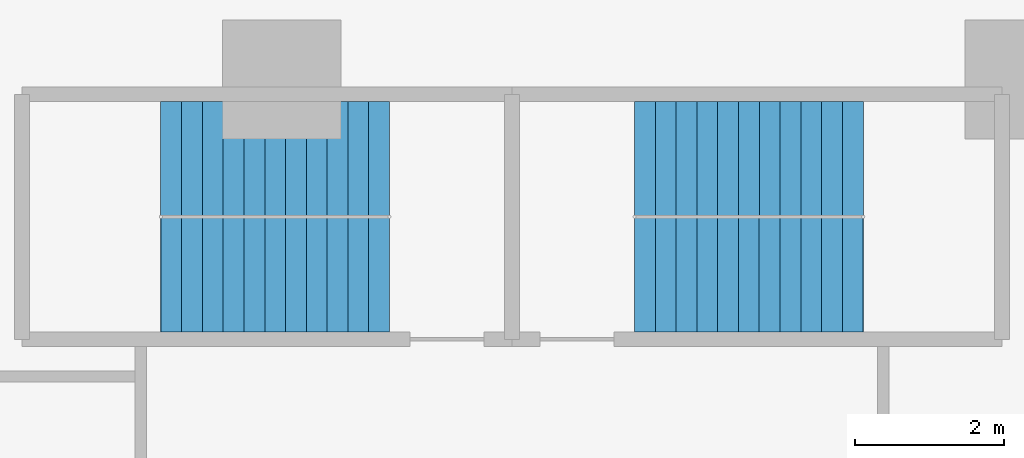
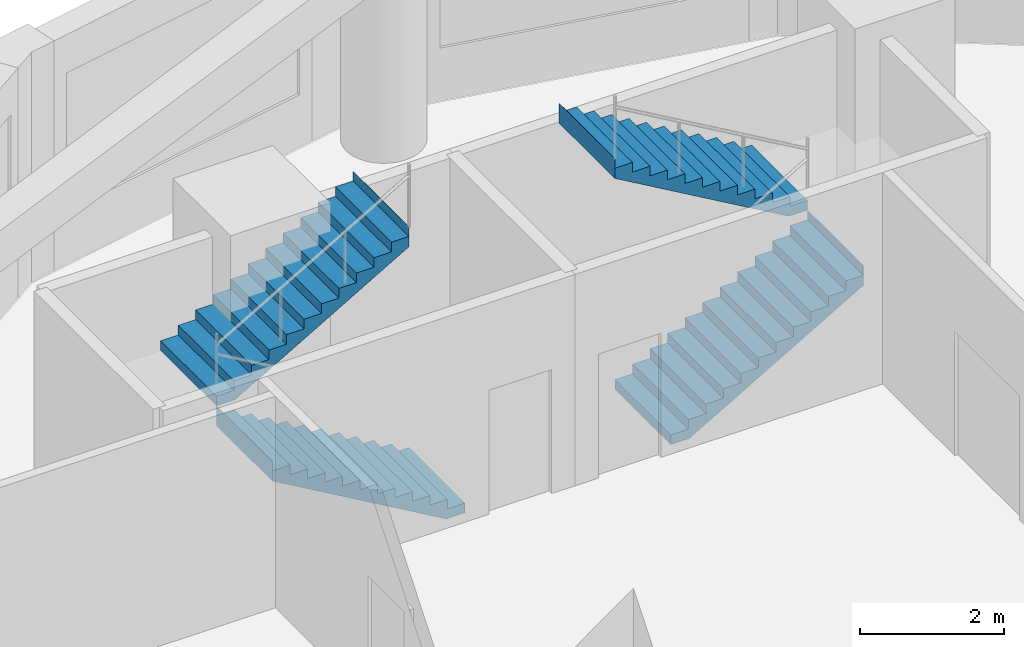
# One storey, part 8 of 10: 4 stair flights, 2 elements without a shape of their own.
"""IFC4 building model written with IfcOpenShell, lengths in metres."""

import ifcopenshell
import ifcopenshell.guid

model = None  # the IFC model being written
_history = None  # IfcOwnerHistory: only IFC2X3 demands one
_inside = {}  # id of a spatial element -> (the spatial element, [elements in it])
_under = {}  # id of a project, library or spatial element -> (it, [spatial elements below it])
_declared = {}  # id of a project -> (the project, [libraries it declares])
_typed = {}  # id of a type object -> (the type object, [elements of that type])
_made_of = {}  # id of a material, layer set ... -> (it, [elements and type objects made of it])


def new_model(schema):
    """Start an empty IFC model of exactly this schema.

    Asked for "IFC4X3", IfcOpenShell would pick the latest addendum, in which some entities
    have other attributes; the version numbers below select the first issue.
    IFC2X3 requires an IfcOwnerHistory on every rooted entity: one is made here for all.
    """
    global model, _history
    if schema == "IFC4X3":
        model = ifcopenshell.file(schema_version=(4, 3, 0, 0))
    else:
        model = ifcopenshell.file(schema=schema)
    _inside.clear()
    _under.clear()
    _declared.clear()
    _typed.clear()
    _made_of.clear()
    _history = None
    if model.schema == "IFC2X3":
        org = make("IfcOrganization", Name="unknown")
        user = make(
            "IfcPersonAndOrganization",
            ThePerson=make("IfcPerson", FamilyName="unknown"),
            TheOrganization=org,
        )
        app = make(
            "IfcApplication",
            ApplicationDeveloper=org,
            Version="unknown",
            ApplicationFullName="unknown",
            ApplicationIdentifier="unknown",
        )
        _history = make(
            "IfcOwnerHistory",
            OwningUser=user,
            OwningApplication=app,
            ChangeAction="ADDED",
            CreationDate=0,
        )
    return model


def make(cls, **values):
    """One entity of the class cls with the attributes given. An attribute that is None is left unset."""
    return model.create_entity(
        cls, **{name: value for name, value in values.items() if value is not None}
    )


def rooted(cls, **values):
    """An entity with a GlobalId (a new one), such as an element, a storey or a relation."""
    return make(cls, GlobalId=ifcopenshell.guid.new(), OwnerHistory=_history, **values)


def si_unit(unit_type, name, prefix=None):
    """IfcSIUnit, for example si_unit("LENGTHUNIT", "METRE", prefix="MILLI")."""
    return make("IfcSIUnit", UnitType=unit_type, Prefix=prefix, Name=name)


def assignment(units):
    """IfcUnitAssignment: the units of a project."""
    return None if units is None else make("IfcUnitAssignment", Units=units)


def point(xyz):
    """IfcCartesianPoint."""
    return None if xyz is None else make("IfcCartesianPoint", Coordinates=xyz)


def direction(xyz):
    """IfcDirection."""
    return None if xyz is None else make("IfcDirection", DirectionRatios=xyz)


def frame(location, z_axis=None, x_axis=None):
    """IfcAxis2Placement3D, a coordinate frame: its origin and axes. An axis left out is left unset."""
    return make(
        "IfcAxis2Placement3D",
        Location=point(location),
        Axis=direction(z_axis),
        RefDirection=direction(x_axis),
    )


def origin():
    """The frame at (0, 0, 0) with its axes left unset."""
    return frame((0.0, 0.0, 0.0))


def place(relative_to, where):
    """IfcLocalPlacement: puts the frame where relative to a parent placement (None: the world)."""
    return make(
        "IfcLocalPlacement", PlacementRelTo=relative_to, RelativePlacement=where
    )


def context(
    kind, dimensions, precision=None, world=None, true_north=None, identifier=None
):
    """IfcGeometricRepresentationContext, for example the 3D "Model" context."""
    return make(
        "IfcGeometricRepresentationContext",
        ContextIdentifier=identifier,
        ContextType=kind,
        CoordinateSpaceDimension=dimensions,
        Precision=precision,
        WorldCoordinateSystem=world,
        TrueNorth=true_north,
    )


def subcontext(parent, identifier, kind, view, scale=None):
    """IfcGeometricRepresentationSubContext, for example "Body" below "Model"."""
    return make(
        "IfcGeometricRepresentationSubContext",
        ContextIdentifier=identifier,
        ContextType=kind,
        ParentContext=parent,
        TargetScale=scale,
        TargetView=view,
    )


def project(units=None, contexts=None):
    """IfcProject with its units and contexts."""
    return rooted(
        "IfcProject",
        Name="project",
        RepresentationContexts=contexts,
        UnitsInContext=assignment(units),
    )


def spatial(cls, under=None, at=None, **own):
    """A site, building, storey or space (cls), placed at a placement, below another one or the project."""
    s = rooted(cls, ObjectPlacement=at, **own)
    if under is not None:
        _under.setdefault(under.id(), (under, []))[1].append(s)
    return s


def polyline(points):
    """IfcPolyline through the points."""
    return make("IfcPolyline", Points=[point(p) for p in points])


def outline(outer, holes=None, kind="AREA"):
    """IfcArbitraryClosedProfileDef: a profile drawn as a closed curve; with holes, ...WithVoids."""
    if holes is None:
        return make("IfcArbitraryClosedProfileDef", ProfileType=kind, OuterCurve=outer)
    return make(
        "IfcArbitraryProfileDefWithVoids",
        ProfileType=kind,
        OuterCurve=outer,
        InnerCurves=holes,
    )


def extrude(swept, where, along, depth):
    """IfcExtrudedAreaSolid: the profile swept, set in the frame where, extruded along a direction by depth."""
    return make(
        "IfcExtrudedAreaSolid",
        SweptArea=swept,
        Position=where,
        ExtrudedDirection=direction(along),
        Depth=depth,
    )


def shape(context_of_items, identifier, shape_type, items):
    """IfcShapeRepresentation: the items that make up one representation, for example the "Body"."""
    return make(
        "IfcShapeRepresentation",
        ContextOfItems=context_of_items,
        RepresentationIdentifier=identifier,
        RepresentationType=shape_type,
        Items=items,
    )


def material(Name=None, Category=None):
    """IfcMaterial."""
    return make("IfcMaterial", Name=Name, Category=Category)


def made_of(thing, what):
    """Note that an element or type object is made of a material, layer set ...; save() writes the relation."""
    if what is not None:
        _made_of.setdefault(what.id(), (what, []))[1].append(thing)
    return thing


def type_object(cls, material=None, **own):
    """A type object (cls), such as IfcWallType, which elements share."""
    return made_of(rooted(cls, **own), material)


def element(
    cls,
    number,
    at=None,
    inside=None,
    cuts=None,
    type_object=None,
    material=None,
    context=None,
    identifier="Body",
    shape_type=None,
    held_by="IfcProductDefinitionShape",
    body=None,
    shapes=None,
    **own,
):
    """One element of the class cls, such as IfcWall. Its Tag is "e" and its number.

    at: its placement. inside: the storey or other place that contains it. cuts: it is an
    opening in that element (IfcRelVoidsElement). A single representation is given by context,
    identifier, shape_type and body (its items); several are given by shapes. held_by: the class
    of the entity that holds the representations. save() writes the other relations.
    """
    e = rooted(cls, Tag="e%d" % number, ObjectPlacement=at, **own)
    if body is not None:
        shapes = [shape(context, identifier, shape_type, body)]
    if shapes is not None:
        e.Representation = make(held_by, Representations=shapes)
    if inside is not None:
        _inside.setdefault(inside.id(), (inside, []))[1].append(e)
    if cuts is not None:
        rooted(
            "IfcRelVoidsElement", RelatingBuildingElement=cuts, RelatedOpeningElement=e
        )
    if type_object is not None:
        _typed.setdefault(type_object.id(), (type_object, []))[1].append(e)
    return made_of(e, material)


def aggregate(whole, parts):
    """IfcRelAggregates: a whole, such as a stair, and the parts it consists of."""
    return rooted("IfcRelAggregates", RelatingObject=whole, RelatedObjects=parts)


def save(model, path):
    """Write the relations noted so far, then the file.

    IfcRelAggregates (storeys below a building ...), IfcRelContainedInSpatialStructure (elements
    in a storey), IfcRelDefinesByType, IfcRelAssociatesMaterial and IfcRelDeclares: one each for
    every whole, place, type object, material and project.
    """
    for whole, parts in _under.values():
        aggregate(whole, parts)
    for where, things in _inside.values():
        rooted(
            "IfcRelContainedInSpatialStructure",
            RelatedElements=things,
            RelatingStructure=where,
        )
    for kind, things in _typed.values():
        rooted("IfcRelDefinesByType", RelatedObjects=things, RelatingType=kind)
    for what, things in _made_of.values():
        rooted("IfcRelAssociatesMaterial", RelatedObjects=things, RelatingMaterial=what)
    for by, libraries in _declared.values():
        rooted("IfcRelDeclares", RelatingContext=by, RelatedDefinitions=libraries)
    model.write(path)


model = new_model("IFC4")

# Units and contexts
model_context = context("Model", 3, precision=1e-05, world=origin(), true_north=direction((0.0, 1.0)))
body_context = subcontext(model_context, "Body", "Model", "MODEL_VIEW")
ifc_project = project(units=[si_unit("LENGTHUNIT", "METRE"), si_unit("AREAUNIT", "SQUARE_METRE"), si_unit("VOLUMEUNIT", "CUBIC_METRE"), si_unit("PLANEANGLEUNIT", "RADIAN"), si_unit("MASSUNIT", "GRAM", prefix="KILO")], contexts=[model_context])

# Site, building, storey
site_placement = place(None, origin())
site = spatial("IfcSite", under=ifc_project, at=site_placement, CompositionType="ELEMENT")
building_placement = place(site_placement, origin())
building = spatial("IfcBuilding", under=site, at=building_placement, Name="Qaws Garden Tower", CompositionType="ELEMENT")
storey_placement = place(building_placement, frame((0.0, 0.0, 19.800048828125)))
storey = spatial("IfcBuildingStorey", under=building, at=storey_placement, Name="L04", CompositionType="ELEMENT", Elevation=19.800048828125)

# Stair, stair flights
ifc_material_1 = material(Name="Concrete C40", Category="concrete")
stair_type = type_object("IfcStairType", Name="Exit stair 1350", PredefinedType="HALF_TURN_STAIR", material=ifc_material_1)
placement = place(storey_placement, origin())
stair_1 = element("IfcStair", 1, at=placement, inside=storey, type_object=stair_type, Name="Stair 6", PredefinedType="HALF_TURN_STAIR")
ifc_material_2 = material(Name="Concrete C40", Category="concrete")
stair_flight_type = type_object("IfcStairFlightType", Name="Stair flight 1350", PredefinedType="STRAIGHT", material=ifc_material_2)
stair_flight_1_placement = place(storey_placement, frame((11.449951171875, 67.375, 0.0), z_axis=(0.0, 0.0, 1.0), x_axis=(-1.0, 0.0, 0.0)))
stair_flight_1 = element("IfcStairFlight", 2, at=stair_flight_1_placement, type_object=stair_flight_type, Name="ST6 flight 1", NumberOfRisers=12, NumberOfTreads=11, PredefinedType="STRAIGHT", RiserHeight=0.1625, TreadLength=0.28, context=body_context, shape_type="SweptSolid", body=[
    extrude(outline(polyline([(-0.0029296875, 0.0), (-0.0029296875, 0.16259765625), (0.0, 0.16259765625), (0.280029296875, 0.16259765625), (0.280029296875, 0.324951171875), (0.56005859375, 0.324951171875), (0.56005859375, 0.487548828125), (0.840087890625, 0.487548828125), (0.840087890625, 0.64990234375), (1.1201171875, 0.64990234375), (1.1201171875, 0.8125), (1.39990234375, 0.8125), (1.39990234375, 0.97509765625), (1.679931640625, 0.97509765625), (1.679931640625, 1.137451171875), (1.9599609375, 1.137451171875), (1.9599609375, 1.300048828125), (2.239990234375, 1.300048828125), (2.239990234375, 1.46240234375), (2.52001953125, 1.46240234375), (2.52001953125, 1.625), (2.800048828125, 1.625), (2.800048828125, 1.78759765625), (3.080078125, 1.78759765625), (3.080078125, 1.949951171875), (3.0830078125, 1.949951171875), (3.0830078125, 1.6142578125), (3.080078125, 1.6142578125), (0.298583984375, 0.0), (-0.0029296875, 0.0)])), frame((0.0, 0.77490234375, 0.0), z_axis=(0.0, -1.0, 0.0), x_axis=(1.0, 0.0, 0.0)), (0.0, 0.0, 1.0), 1.550048828125),
])
stair_flight_2_placement = place(storey_placement, frame((8.3701171875, 68.925048828125, 1.949951171875), z_axis=(0.0, 0.0, 1.0), x_axis=(1.0, 0.0, 0.0)))
stair_flight_2 = element("IfcStairFlight", 3, at=stair_flight_2_placement, type_object=stair_flight_type, Name="ST6 flight 2", NumberOfRisers=12, NumberOfTreads=11, PredefinedType="STRAIGHT", RiserHeight=0.1625, TreadLength=0.28, context=body_context, shape_type="SweptSolid", body=[
    extrude(outline(polyline([(-0.0029296875, 0.0), (-0.0029296875, 0.16259765625), (0.0, 0.16259765625), (0.280029296875, 0.16259765625), (0.280029296875, 0.324951171875), (0.56005859375, 0.324951171875), (0.56005859375, 0.487548828125), (0.840087890625, 0.487548828125), (0.840087890625, 0.64990234375), (1.1201171875, 0.64990234375), (1.1201171875, 0.8125), (1.39990234375, 0.8125), (1.39990234375, 0.97509765625), (1.679931640625, 0.97509765625), (1.679931640625, 1.137451171875), (1.9599609375, 1.137451171875), (1.9599609375, 1.300048828125), (2.239990234375, 1.300048828125), (2.239990234375, 1.46240234375), (2.52001953125, 1.46240234375), (2.52001953125, 1.625), (2.800048828125, 1.625), (2.800048828125, 1.78759765625), (3.080078125, 1.78759765625), (3.080078125, 1.949951171875), (3.0830078125, 1.949951171875), (3.0830078125, 1.6142578125), (3.080078125, 1.6142578125), (0.298583984375, 0.0), (-0.0029296875, 0.0)])), frame((0.0, 0.77490234375, 0.0), z_axis=(0.0, -1.0, 0.0), x_axis=(1.0, 0.0, 0.0)), (0.0, 0.0, 1.0), 1.550048828125),
])
aggregate(stair_1, [stair_flight_1, stair_flight_2])

stair_2 = element("IfcStair", 4, at=placement, inside=storey, type_object=stair_type, Name="Stair 7", PredefinedType="HALF_TURN_STAIR")
stair_flight_3_placement = place(storey_placement, frame((14.75, 67.375, 0.0), z_axis=(0.0, 0.0, 1.0), x_axis=(1.0, 0.0, 0.0)))
stair_flight_3 = element("IfcStairFlight", 5, at=stair_flight_3_placement, type_object=stair_flight_type, Name="ST7 flight 1", NumberOfRisers=12, NumberOfTreads=11, PredefinedType="STRAIGHT", RiserHeight=0.1625, TreadLength=0.28, context=body_context, shape_type="SweptSolid", body=[
    extrude(outline(polyline([(-0.0029296875, 0.0), (-0.0029296875, 0.16259765625), (0.0, 0.16259765625), (0.280029296875, 0.16259765625), (0.280029296875, 0.324951171875), (0.56005859375, 0.324951171875), (0.56005859375, 0.487548828125), (0.840087890625, 0.487548828125), (0.840087890625, 0.64990234375), (1.1201171875, 0.64990234375), (1.1201171875, 0.8125), (1.39990234375, 0.8125), (1.39990234375, 0.97509765625), (1.679931640625, 0.97509765625), (1.679931640625, 1.137451171875), (1.9599609375, 1.137451171875), (1.9599609375, 1.300048828125), (2.239990234375, 1.300048828125), (2.239990234375, 1.46240234375), (2.52001953125, 1.46240234375), (2.52001953125, 1.625), (2.800048828125, 1.625), (2.800048828125, 1.78759765625), (3.080078125, 1.78759765625), (3.080078125, 1.949951171875), (3.0830078125, 1.949951171875), (3.0830078125, 1.6142578125), (3.080078125, 1.6142578125), (0.298583984375, 0.0), (-0.0029296875, 0.0)])), frame((0.0, 0.77490234375, 0.0), z_axis=(0.0, -1.0, 0.0), x_axis=(1.0, 0.0, 0.0)), (0.0, 0.0, 1.0), 1.550048828125),
])
stair_flight_4_placement = place(storey_placement, frame((17.830078125, 68.925048828125, 1.949951171875), z_axis=(0.0, 0.0, 1.0), x_axis=(-1.0, 0.0, 0.0)))
stair_flight_4 = element("IfcStairFlight", 6, at=stair_flight_4_placement, type_object=stair_flight_type, Name="ST7 flight 2", NumberOfRisers=12, NumberOfTreads=11, PredefinedType="STRAIGHT", RiserHeight=0.1625, TreadLength=0.28, context=body_context, shape_type="SweptSolid", body=[
    extrude(outline(polyline([(-0.0029296875, 0.0), (-0.0029296875, 0.16259765625), (0.0, 0.16259765625), (0.280029296875, 0.16259765625), (0.280029296875, 0.324951171875), (0.56005859375, 0.324951171875), (0.56005859375, 0.487548828125), (0.840087890625, 0.487548828125), (0.840087890625, 0.64990234375), (1.1201171875, 0.64990234375), (1.1201171875, 0.8125), (1.39990234375, 0.8125), (1.39990234375, 0.97509765625), (1.679931640625, 0.97509765625), (1.679931640625, 1.137451171875), (1.9599609375, 1.137451171875), (1.9599609375, 1.300048828125), (2.239990234375, 1.300048828125), (2.239990234375, 1.46240234375), (2.52001953125, 1.46240234375), (2.52001953125, 1.625), (2.800048828125, 1.625), (2.800048828125, 1.78759765625), (3.080078125, 1.78759765625), (3.080078125, 1.949951171875), (3.0830078125, 1.949951171875), (3.0830078125, 1.6142578125), (3.080078125, 1.6142578125), (0.298583984375, 0.0), (-0.0029296875, 0.0)])), frame((0.0, 0.77490234375, 0.0), z_axis=(0.0, -1.0, 0.0), x_axis=(1.0, 0.0, 0.0)), (0.0, 0.0, 1.0), 1.550048828125),
])
aggregate(stair_2, [stair_flight_3, stair_flight_4])

save(model, "model.ifc")
